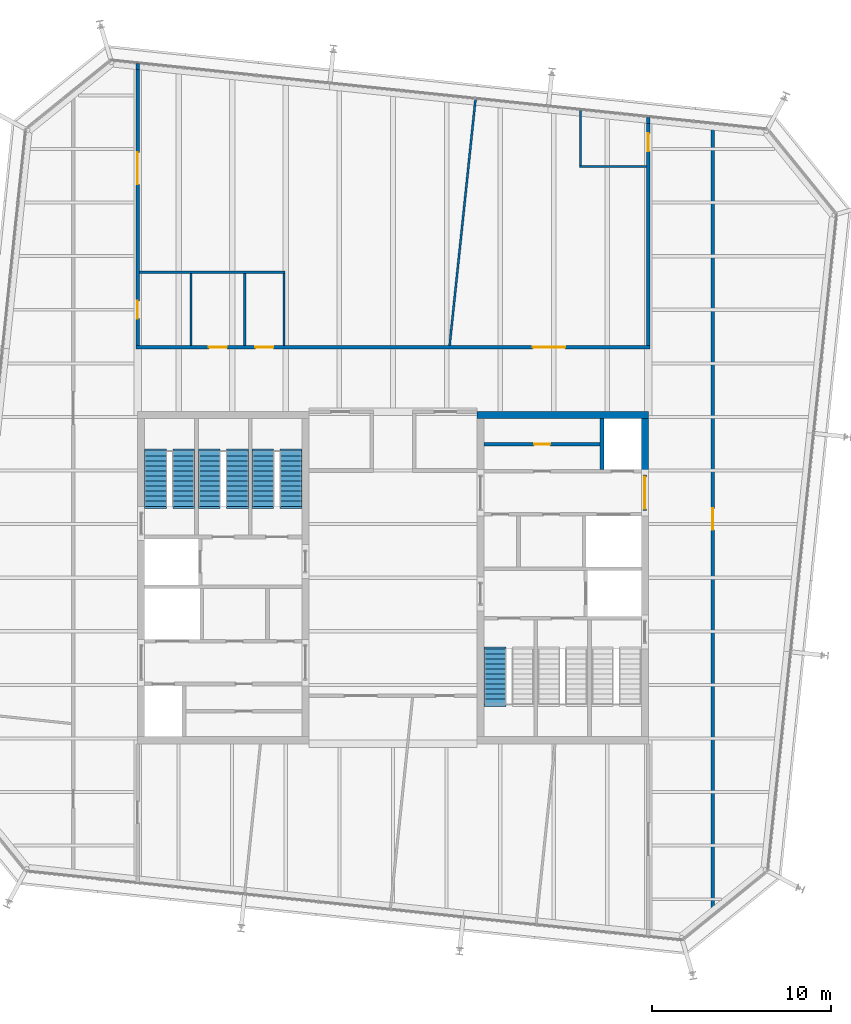
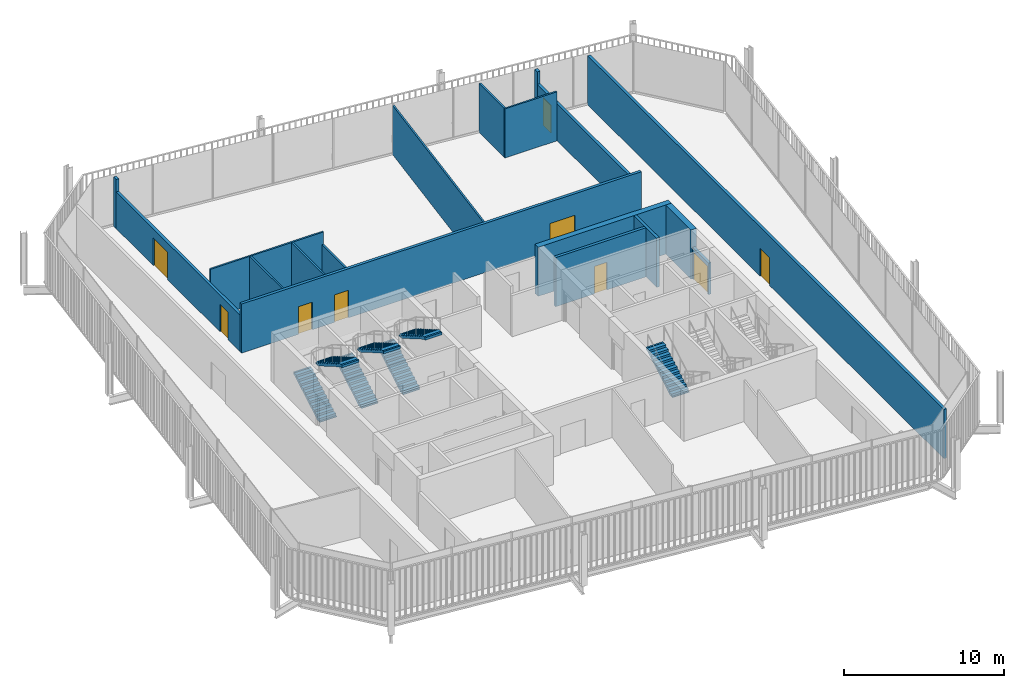
# One storey, part 18 of 20: 18 walls, 9 doors, 7 stair flights, 9 openings, 4 elements without a shape of their own.
"""IFC4 building model written with IfcOpenShell, lengths in metres."""

from ifc_helpers import new_model, si_unit, direction, frame, frame_2d, origin, place, context, subcontext, project, spatial, polyline, rectangle, outline, extrude, material, layer, layer_set, type_object, element, fill, aggregate, save


model = new_model("IFC4")

# Units and contexts
model_context = context("Model", 3, precision=1e-05, world=origin(), true_north=direction((0.0, 1.0)))
body_context = subcontext(model_context, "Body", "Model", "MODEL_VIEW")
ifc_project = project(units=[si_unit("LENGTHUNIT", "METRE"), si_unit("AREAUNIT", "SQUARE_METRE"), si_unit("VOLUMEUNIT", "CUBIC_METRE"), si_unit("PLANEANGLEUNIT", "RADIAN"), si_unit("MASSUNIT", "GRAM", prefix="KILO")], contexts=[model_context])

# Site, building, storey
site_placement = place(None, origin())
site = spatial("IfcSite", under=ifc_project, at=site_placement, CompositionType="ELEMENT")
building_placement = place(site_placement, origin())
building = spatial("IfcBuilding", under=site, at=building_placement, Name="Millrace Tower", CompositionType="ELEMENT")
storey_placement = place(building_placement, frame((0.0, 0.0, 295.5)))
storey = spatial("IfcBuildingStorey", under=building, at=storey_placement, Name="L68", CompositionType="ELEMENT", Elevation=295.5)

# Walls
ifc_material_1 = material(Name="Concrete C60", Category="concrete")
ifc_layer_1 = layer(ifc_material_1, 0.39990234375)
ifc_layer_set_1 = layer_set([ifc_layer_1], Name="Concrete C60")
wall_type_1 = type_object("IfcWallType", Name="Core wall 400 Concrete C60", PredefinedType="SHEAR", material=ifc_layer_set_1)
wall_1_placement = place(storey_placement, frame((14.300048828125, 9.10009765625, 0.0), z_axis=(0.0, 0.0, 1.0), x_axis=(-1.0, 0.0, 0.0)))
element("IfcWall", 1, at=wall_1_placement, inside=storey, type_object=wall_type_1, Name="Core wall E L68", PredefinedType="SHEAR", context=body_context, shape_type="SweptSolid", body=[
    extrude(rectangle(XDim=9.60009765625, YDim=0.39990234375, at=frame_2d((4.800048828125, 0.0))), origin(), (0.0, 0.0, 1.0), 3.739990234375),
])
wall_2_placement = place(storey_placement, frame((14.10009765625, 8.89990234375, 0.0), z_axis=(0.0, 0.0, 1.0), x_axis=(0.0, -1.0, 0.0)))
element("IfcWall", 2, at=wall_2_placement, inside=storey, type_object=wall_type_1, Name="Core wall E L68", PredefinedType="SHEAR", context=body_context, shape_type="SweptSolid", body=[
    extrude(rectangle(XDim=3.14990234375, YDim=0.39990234375, at=frame_2d((1.574951171875, 0.0))), origin(), (0.0, 0.0, 1.0), 3.739990234375),
])

# Wall, openings, doors
ifc_material_2 = material(Name="Masonry partition, fire-rated", Category="masonry")
ifc_layer_2 = layer(ifc_material_2, 0.199951171875)
ifc_layer_set_2 = layer_set([ifc_layer_2], Name="Masonry partition, fire-rated")
wall_type_2 = type_object("IfcWallType", Name="Corridor wall 200", PredefinedType="PARTITIONING", material=ifc_layer_set_2)
wall_3_placement = place(storey_placement, frame((-14.39990234375, 12.89990234375, 0.0), z_axis=(0.0, 0.0, 1.0), x_axis=(1.0, 0.0, 0.0)))
wall_3 = element("IfcWall", 3, at=wall_3_placement, inside=storey, type_object=wall_type_2, Name="Corridor wall L68", PredefinedType="PARTITIONING", context=body_context, shape_type="SweptSolid", body=[
    extrude(rectangle(XDim=28.7998046875, YDim=0.199951171875, at=frame_2d((14.39990234375, 0.0))), origin(), (0.0, 0.0, 1.0), 3.739990234375),
])
opening_1_placement = place(wall_3_placement, frame((22.22998046875, 0.0, 0.0)))
opening_1 = element("IfcOpeningElement", 4, at=opening_1_placement, cuts=wall_3, Name="Opening 68-P006", PredefinedType="OPENING", context=body_context, shape_type="SweptSolid", body=[
    extrude(rectangle(XDim=1.800048828125, YDim=2.10009765625, at=frame_2d((0.89990234375, 1.050048828125))), frame((0.0, 0.10986328125, 0.0), z_axis=(0.0, -1.0, 0.0), x_axis=(1.0, 0.0, 0.0)), (0.0, 0.0, 1.0), 0.219970703125),
])
opening_2_placement = place(wall_3_placement, frame((4.10009765625, 0.0, 0.0)))
opening_2 = element("IfcOpeningElement", 5, at=opening_2_placement, cuts=wall_3, Name="Opening 68-P014", PredefinedType="OPENING", context=body_context, shape_type="SweptSolid", body=[
    extrude(rectangle(XDim=1.0, YDim=2.10009765625, at=frame_2d((0.5, 1.050048828125))), frame((0.0, 0.10986328125, 0.0), z_axis=(0.0, -1.0, 0.0), x_axis=(1.0, 0.0, 0.0)), (0.0, 0.0, 1.0), 0.219970703125),
])
opening_3_placement = place(wall_3_placement, frame((6.699951171875, 0.0, 0.0)))
opening_3 = element("IfcOpeningElement", 6, at=opening_3_placement, cuts=wall_3, Name="Opening 68-P015", PredefinedType="OPENING", context=body_context, shape_type="SweptSolid", body=[
    extrude(rectangle(XDim=1.0, YDim=2.10009765625, at=frame_2d((0.5, 1.050048828125))), frame((0.0, 0.10986328125, 0.0), z_axis=(0.0, -1.0, 0.0), x_axis=(1.0, 0.0, 0.0)), (0.0, 0.0, 1.0), 0.219970703125),
])
ifc_material_3 = material(Name="Steel door set, fire-rated", Category="steel")
door_type_1 = type_object("IfcDoorType", Name="Corridor door 1000 x 2100", OperationType="SINGLE_SWING_LEFT", PredefinedType="DOOR", material=ifc_material_3)
door_1_placement = place(opening_2_placement, origin())
door_1 = element("IfcDoor", 7, at=door_1_placement, inside=storey, type_object=door_type_1, Name="Door 68-P014", OperationType="SINGLE_SWING_LEFT", OverallHeight=2.10009765625, OverallWidth=1.0, PredefinedType="DOOR", context=body_context, shape_type="SweptSolid", body=[
    extrude(rectangle(XDim=1.0, YDim=2.10009765625, at=frame_2d((0.5, 1.050048828125))), frame((0.0, 0.02490234375, 0.0), z_axis=(0.0, -1.0, 0.0), x_axis=(1.0, 0.0, 0.0)), (0.0, 0.0, 1.0), 0.050048828125),
])
fill(opening_2, door_1)
door_2_placement = place(opening_3_placement, origin())
door_2 = element("IfcDoor", 8, at=door_2_placement, inside=storey, type_object=door_type_1, Name="Door 68-P015", OperationType="SINGLE_SWING_LEFT", OverallHeight=2.10009765625, OverallWidth=1.0, PredefinedType="DOOR", context=body_context, shape_type="SweptSolid", body=[
    extrude(rectangle(XDim=1.0, YDim=2.10009765625, at=frame_2d((0.5, 1.050048828125))), frame((0.0, 0.02490234375, 0.0), z_axis=(0.0, -1.0, 0.0), x_axis=(1.0, 0.0, 0.0)), (0.0, 0.0, 1.0), 0.050048828125),
])
fill(opening_3, door_2)
ifc_material_4 = material(Name="Steel door set, fire-rated", Category="steel")
door_type_2 = type_object("IfcDoorType", Name="Corridor door 1800 x 2100", OperationType="DOUBLE_DOOR_SINGLE_SWING", PredefinedType="DOOR", material=ifc_material_4)
door_3_placement = place(opening_1_placement, origin())
door_3 = element("IfcDoor", 9, at=door_3_placement, inside=storey, type_object=door_type_2, Name="Door 68-P006", OperationType="DOUBLE_DOOR_SINGLE_SWING", OverallHeight=2.10009765625, OverallWidth=1.800048828125, PredefinedType="DOOR", context=body_context, shape_type="SweptSolid", body=[
    extrude(rectangle(XDim=1.800048828125, YDim=2.10009765625, at=frame_2d((0.89990234375, 1.050048828125))), frame((0.0, 0.02490234375, 0.0), z_axis=(0.0, -1.0, 0.0), x_axis=(1.0, 0.0, 0.0)), (0.0, 0.0, 1.0), 0.050048828125),
])
fill(opening_1, door_3)

# Wall, opening, door
wall_4_placement = place(storey_placement, frame((17.89990234375, -19.042236328125, 0.0), z_axis=(0.0, 0.0, 1.0), x_axis=(0.0, 1.0, 0.0)))
wall_4 = element("IfcWall", 10, at=wall_4_placement, inside=storey, type_object=wall_type_2, Name="Corridor wall L68", PredefinedType="PARTITIONING", context=body_context, shape_type="SweptSolid", body=[
    extrude(rectangle(XDim=44.437255859375, YDim=0.199951171875, at=frame_2d((22.21875, 0.0))), origin(), (0.0, 0.0, 1.0), 3.739990234375),
])
opening_4_placement = place(wall_4_placement, frame((21.725830078125, 0.0, 0.0)))
opening_4 = element("IfcOpeningElement", 11, at=opening_4_placement, cuts=wall_4, Name="Opening 68-P008", PredefinedType="OPENING", context=body_context, shape_type="SweptSolid", body=[
    extrude(rectangle(XDim=1.199951171875, YDim=2.10009765625, at=frame_2d((0.60009765625, 1.050048828125))), frame((0.0, 0.10986328125, 0.0), z_axis=(0.0, -1.0, 0.0), x_axis=(1.0, 0.0, 0.0)), (0.0, 0.0, 1.0), 0.219970703125),
])
ifc_material_5 = material(Name="Steel door set, fire-rated", Category="steel")
door_type_3 = type_object("IfcDoorType", Name="Corridor door 1200 x 2100", OperationType="SINGLE_SWING_LEFT", PredefinedType="DOOR", material=ifc_material_5)
door_4_placement = place(opening_4_placement, origin())
door_4 = element("IfcDoor", 12, at=door_4_placement, inside=storey, type_object=door_type_3, Name="Door 68-P008", OperationType="SINGLE_SWING_RIGHT", OverallHeight=2.10009765625, OverallWidth=1.199951171875, PredefinedType="DOOR", context=body_context, shape_type="SweptSolid", body=[
    extrude(rectangle(XDim=1.199951171875, YDim=2.10009765625, at=frame_2d((0.60009765625, 1.050048828125))), frame((0.0, 0.02490234375, 0.0), z_axis=(0.0, -1.0, 0.0), x_axis=(1.0, 0.0, 0.0)), (0.0, 0.0, 1.0), 0.050048828125),
])
fill(opening_4, door_4)

wall_5_placement = place(storey_placement, frame((14.300048828125, 13.0, 0.0), z_axis=(0.0, 0.0, 1.0), x_axis=(0.0, 1.0, 0.0)))
wall_5 = element("IfcWall", 13, at=wall_5_placement, inside=storey, type_object=wall_type_2, Name="Corridor wall L68", PredefinedType="PARTITIONING", context=body_context, shape_type="SweptSolid", body=[
    extrude(rectangle(XDim=12.434326171875, YDim=0.199951171875, at=frame_2d((6.21728515625, 0.0))), origin(), (0.0, 0.0, 1.0), 2.79248046875),
])
opening_5_placement = place(wall_5_placement, frame((10.873046875, 0.0, 0.0)))
opening_5 = element("IfcOpeningElement", 14, at=opening_5_placement, cuts=wall_5, Name="Opening 68-P007", PredefinedType="OPENING", context=body_context, shape_type="SweptSolid", body=[
    extrude(rectangle(XDim=1.0, YDim=2.10009765625, at=frame_2d((0.5, 1.050048828125))), frame((0.0, 0.10986328125, 0.0), z_axis=(0.0, -1.0, 0.0), x_axis=(1.0, 0.0, 0.0)), (0.0, 0.0, 1.0), 0.219970703125),
])
door_5_placement = place(opening_5_placement, origin())
door_5 = element("IfcDoor", 15, at=door_5_placement, inside=storey, type_object=door_type_1, Name="Door 68-P007", OperationType="SINGLE_SWING_RIGHT", OverallHeight=2.10009765625, OverallWidth=1.0, PredefinedType="DOOR", context=body_context, shape_type="SweptSolid", body=[
    extrude(rectangle(XDim=1.0, YDim=2.10009765625, at=frame_2d((0.5, 1.050048828125))), frame((0.0, 0.02490234375, 0.0), z_axis=(0.0, -1.0, 0.0), x_axis=(1.0, 0.0, 0.0)), (0.0, 0.0, 1.0), 0.050048828125),
])
fill(opening_5, door_5)

# Wall
wall_6_placement = place(storey_placement, frame((14.300048828125, 25.434326171875, 0.0), z_axis=(0.0, 0.0, 1.0), x_axis=(0.0, 1.0, 0.0)))
element("IfcWall", 16, at=wall_6_placement, inside=storey, type_object=wall_type_2, Name="Corridor wall L68", PredefinedType="PARTITIONING", context=body_context, shape_type="SweptSolid", body=[
    extrude(rectangle(XDim=0.339111328125, YDim=0.199951171875, at=frame_2d((0.16943359375, 0.0))), origin(), (0.0, 0.0, 1.0), 3.739990234375),
])

# Wall, openings, doors
wall_7_placement = place(storey_placement, frame((-14.300048828125, 13.0, 0.0), z_axis=(0.0, 0.0, 1.0), x_axis=(0.0, 1.0, 0.0)))
wall_7 = element("IfcWall", 17, at=wall_7_placement, inside=storey, type_object=wall_type_2, Name="Corridor wall L68", PredefinedType="PARTITIONING", context=body_context, shape_type="SweptSolid", body=[
    extrude(rectangle(XDim=15.440185546875, YDim=0.199951171875, at=frame_2d((7.72021484375, 0.0))), origin(), (0.0, 0.0, 1.0), 2.79248046875),
])
opening_6_placement = place(wall_7_placement, frame((9.014404296875, 0.0, 0.0)))
opening_6 = element("IfcOpeningElement", 18, at=opening_6_placement, cuts=wall_7, Name="Opening 68-P005", PredefinedType="OPENING", context=body_context, shape_type="SweptSolid", body=[
    extrude(rectangle(XDim=1.800048828125, YDim=2.10009765625, at=frame_2d((0.89990234375, 1.050048828125))), frame((0.0, 0.10986328125, 0.0), z_axis=(0.0, -1.0, 0.0), x_axis=(1.0, 0.0, 0.0)), (0.0, 0.0, 1.0), 0.219970703125),
])
opening_7_placement = place(wall_7_placement, frame((1.5, 0.0, 0.0)))
opening_7 = element("IfcOpeningElement", 19, at=opening_7_placement, cuts=wall_7, Name="Opening 68-P013", PredefinedType="OPENING", context=body_context, shape_type="SweptSolid", body=[
    extrude(rectangle(XDim=1.0, YDim=2.10009765625, at=frame_2d((0.5, 1.050048828125))), frame((0.0, 0.10986328125, 0.0), z_axis=(0.0, -1.0, 0.0), x_axis=(1.0, 0.0, 0.0)), (0.0, 0.0, 1.0), 0.219970703125),
])
door_6_placement = place(opening_7_placement, frame((1.0, 0.0, 0.0), z_axis=(0.0, 0.0, 1.0), x_axis=(-1.0, 0.0, 0.0)))
door_6 = element("IfcDoor", 20, at=door_6_placement, inside=storey, type_object=door_type_1, Name="Door 68-P013", OperationType="SINGLE_SWING_RIGHT", OverallHeight=2.10009765625, OverallWidth=1.0, PredefinedType="DOOR", context=body_context, shape_type="SweptSolid", body=[
    extrude(rectangle(XDim=1.0, YDim=2.10009765625, at=frame_2d((0.5, 1.050048828125))), frame((0.0, 0.02490234375, 0.0), z_axis=(0.0, -1.0, 0.0), x_axis=(1.0, 0.0, 0.0)), (0.0, 0.0, 1.0), 0.050048828125),
])
fill(opening_7, door_6)
door_7_placement = place(opening_6_placement, origin())
door_7 = element("IfcDoor", 21, at=door_7_placement, inside=storey, type_object=door_type_2, Name="Door 68-P005", OperationType="DOUBLE_DOOR_SINGLE_SWING", OverallHeight=2.10009765625, OverallWidth=1.800048828125, PredefinedType="DOOR", context=body_context, shape_type="SweptSolid", body=[
    extrude(rectangle(XDim=1.800048828125, YDim=2.10009765625, at=frame_2d((0.89990234375, 1.050048828125))), frame((0.0, 0.02490234375, 0.0), z_axis=(0.0, -1.0, 0.0), x_axis=(1.0, 0.0, 0.0)), (0.0, 0.0, 1.0), 0.050048828125),
])
fill(opening_6, door_7)

# Walls
wall_8_placement = place(storey_placement, frame((-14.300048828125, 28.440185546875, 0.0), z_axis=(0.0, 0.0, 1.0), x_axis=(0.0, 1.0, 0.0)))
element("IfcWall", 22, at=wall_8_placement, inside=storey, type_object=wall_type_2, Name="Corridor wall L68", PredefinedType="PARTITIONING", context=body_context, shape_type="SweptSolid", body=[
    extrude(rectangle(XDim=0.33935546875, YDim=0.199951171875, at=frame_2d((0.169677734375, 0.0))), origin(), (0.0, 0.0, 1.0), 3.739990234375),
])
ifc_material_6 = material(Name="Masonry partition, fire-rated", Category="masonry")
ifc_layer_3 = layer(ifc_material_6, 0.199951171875)
ifc_layer_set_3 = layer_set([ifc_layer_3], Name="Masonry partition, fire-rated")
wall_type_3 = type_object("IfcWallType", Name="Lift shaft wall 200", PredefinedType="PARTITIONING", material=ifc_layer_set_3)
wall_9_placement = place(storey_placement, frame((11.699951171875, 8.89990234375, 0.0), z_axis=(0.0, 0.0, 1.0), x_axis=(0.0, -1.0, 0.0)))
element("IfcWall", 23, at=wall_9_placement, inside=storey, type_object=wall_type_3, Name="Lift shaft wall E L68", PredefinedType="PARTITIONING", context=body_context, shape_type="SweptSolid", body=[
    extrude(rectangle(XDim=2.849853515625, YDim=0.199951171875, at=frame_2d((1.4248046875, 0.0))), origin(), (0.0, 0.0, 1.0), 3.739990234375),
])

# Wall, opening, door
ifc_material_7 = material(Name="Masonry partition, fire-rated", Category="masonry")
ifc_layer_4 = layer(ifc_material_7, 0.199951171875)
ifc_layer_set_4 = layer_set([ifc_layer_4], Name="Masonry partition, fire-rated")
wall_type_4 = type_object("IfcWallType", Name="Lobby wall 200", PredefinedType="PARTITIONING", material=ifc_layer_set_4)
wall_10_placement = place(storey_placement, frame((14.10009765625, 5.75, 0.0), z_axis=(0.0, 0.0, 1.0), x_axis=(0.0, -1.0, 0.0)))
wall_10 = element("IfcWall", 24, at=wall_10_placement, inside=storey, type_object=wall_type_4, Name="Lobby wall E L68", PredefinedType="PARTITIONING", context=body_context, shape_type="SweptSolid", body=[
    extrude(rectangle(XDim=2.0, YDim=0.199951171875, at=frame_2d((1.0, 0.0))), origin(), (0.0, 0.0, 1.0), 2.39990234375),
])
opening_8_placement = place(wall_10_placement, frame((0.10009765625, 0.0, 0.0)))
opening_8 = element("IfcOpeningElement", 25, at=opening_8_placement, cuts=wall_10, Name="Opening 68-C011", PredefinedType="OPENING", context=body_context, shape_type="SweptSolid", body=[
    extrude(rectangle(XDim=1.800048828125, YDim=2.10009765625, at=frame_2d((0.89990234375, 1.050048828125))), frame((0.0, 0.10986328125, 0.0), z_axis=(0.0, -1.0, 0.0), x_axis=(1.0, 0.0, 0.0)), (0.0, 0.0, 1.0), 0.219970703125),
])
ifc_material_8 = material(Name="Steel door, fire-rated", Category="steel")
door_type_4 = type_object("IfcDoorType", Name="Lobby door 1800 x 2100", OperationType="DOUBLE_DOOR_SINGLE_SWING", PredefinedType="DOOR", material=ifc_material_8)
door_8_placement = place(opening_8_placement, origin())
door_8 = element("IfcDoor", 26, at=door_8_placement, inside=storey, type_object=door_type_4, Name="Lobby door 68-C011", OperationType="DOUBLE_DOOR_SINGLE_SWING", OverallHeight=2.10009765625, OverallWidth=1.800048828125, PredefinedType="DOOR", context=body_context, shape_type="SweptSolid", body=[
    extrude(rectangle(XDim=1.800048828125, YDim=2.10009765625, at=frame_2d((0.89990234375, 1.050048828125))), frame((0.0, 0.02490234375, 0.0), z_axis=(0.0, -1.0, 0.0), x_axis=(1.0, 0.0, 0.0)), (0.0, 0.0, 1.0), 0.050048828125),
])
fill(opening_8, door_8)

# Walls
ifc_material_9 = material(Name="Gypsum board partition")
ifc_layer_5 = layer(ifc_material_9, 0.1201171875)
ifc_layer_set_5 = layer_set([ifc_layer_5], Name="Gypsum board partition")
wall_type_5 = type_object("IfcWallType", Name="Partition wall 120", PredefinedType="PARTITIONING", material=ifc_layer_set_5)
wall_11_placement = place(storey_placement, frame((-14.199951171875, 17.10009765625, 0.0), z_axis=(0.0, 0.0, 1.0), x_axis=(1.0, 0.0, 0.0)))
element("IfcWall", 27, at=wall_11_placement, inside=storey, type_object=wall_type_5, Name="Partition wall L68", PredefinedType="PARTITIONING", context=body_context, shape_type="SweptSolid", body=[
    extrude(rectangle(XDim=8.159912109375, YDim=0.1201171875, at=frame_2d((4.080078125, 0.0))), origin(), (0.0, 0.0, 1.0), 3.739990234375),
])
wall_12_placement = place(storey_placement, frame((10.43994140625, 23.02294921875, 0.0), z_axis=(0.0, 0.0, 1.0), x_axis=(1.0, 0.0, 0.0)))
element("IfcWall", 28, at=wall_12_placement, inside=storey, type_object=wall_type_5, Name="Partition wall L68", PredefinedType="PARTITIONING", context=body_context, shape_type="SweptSolid", body=[
    extrude(rectangle(XDim=3.760009765625, YDim=0.1201171875, at=frame_2d((1.8798828125, 0.0))), origin(), (0.0, 0.0, 1.0), 3.739990234375),
])
wall_13_placement = place(storey_placement, frame((3.17041015625, 12.99951171875, 0.0), z_axis=(0.0, 0.0, 1.0), x_axis=(0.104559229742, 0.9945186612, 0.0)))
element("IfcWall", 29, at=wall_13_placement, inside=storey, type_object=wall_type_5, Name="Partition wall L68", PredefinedType="PARTITIONING", context=body_context, shape_type="SweptSolid", body=[
    extrude(rectangle(XDim=13.8671875, YDim=0.1201171875, at=frame_2d((6.93359375, 0.0))), origin(), (0.0, 0.0, 1.0), 3.739990234375),
])
wall_14_placement = place(storey_placement, frame((10.5, 23.0830078125, 0.0), z_axis=(0.0, 0.0, 1.0), x_axis=(0.0, 1.0, 0.0)))
element("IfcWall", 30, at=wall_14_placement, inside=storey, type_object=wall_type_5, Name="Partition wall L68", PredefinedType="PARTITIONING", context=body_context, shape_type="SweptSolid", body=[
    extrude(rectangle(XDim=3.08984375, YDim=0.1201171875, at=frame_2d((1.544921875, 0.0))), origin(), (0.0, 0.0, 1.0), 3.739990234375),
])
wall_15_placement = place(storey_placement, frame((-6.10009765625, 13.0, 0.0), z_axis=(0.0, 0.0, 1.0), x_axis=(0.0, 1.0, 0.0)))
element("IfcWall", 31, at=wall_15_placement, inside=storey, type_object=wall_type_5, Name="Partition wall L68", PredefinedType="PARTITIONING", context=body_context, shape_type="SweptSolid", body=[
    extrude(rectangle(XDim=4.0400390625, YDim=0.1201171875, at=frame_2d((2.02001953125, 0.0))), origin(), (0.0, 0.0, 1.0), 2.81298828125),
])
for number, where, z_axis, x_axis, name in (
    (32, (-8.300048828125, 13.0, 0.0), (0.0, 0.0, 1.0), (0.0, 1.0, 0.0), "Partition wall L68"),
    (33, (-11.300048828125, 13.0, 0.0), (0.0, 0.0, 1.0), (0.0, 1.0, 0.0), "Partition wall L68"),
):
    element("IfcWall", number, at=place(storey_placement, frame(where, z_axis=z_axis, x_axis=x_axis)), inside=storey, type_object=wall_type_5, Name=name, PredefinedType="PARTITIONING", context=body_context, shape_type="SweptSolid", body=[
        extrude(rectangle(XDim=4.0400390625, YDim=0.1201171875, at=frame_2d((2.02001953125, 0.0))), origin(), (0.0, 0.0, 1.0), 3.739990234375),
    ])

# Wall, opening, door
ifc_material_10 = material(Name="Masonry partition, fire-rated", Category="masonry")
ifc_layer_6 = layer(ifc_material_10, 0.199951171875)
ifc_layer_set_6 = layer_set([ifc_layer_6], Name="Masonry partition, fire-rated")
wall_type_6 = type_object("IfcWallType", Name="Room partition 200", PredefinedType="PARTITIONING", material=ifc_layer_set_6)
wall_16_placement = place(storey_placement, frame((11.60009765625, 7.47509765625, 0.0), z_axis=(0.0, 0.0, 1.0), x_axis=(-1.0, 0.0, 0.0)))
wall_16 = element("IfcWall", 34, at=wall_16_placement, inside=storey, type_object=wall_type_6, Name="Room partition E L68", PredefinedType="PARTITIONING", context=body_context, shape_type="SweptSolid", body=[
    extrude(rectangle(XDim=6.5, YDim=0.199951171875, at=frame_2d((3.25, 0.0))), origin(), (0.0, 0.0, 1.0), 3.739990234375),
])
opening_9_placement = place(wall_16_placement, frame((2.800048828125, 0.0, 0.0)))
opening_9 = element("IfcOpeningElement", 35, at=opening_9_placement, cuts=wall_16, Name="Opening 68-C016", PredefinedType="OPENING", context=body_context, shape_type="SweptSolid", body=[
    extrude(rectangle(XDim=0.89990234375, YDim=2.10009765625, at=frame_2d((0.449951171875, 1.050048828125))), frame((0.0, 0.10986328125, 0.0), z_axis=(0.0, -1.0, 0.0), x_axis=(1.0, 0.0, 0.0)), (0.0, 0.0, 1.0), 0.219970703125),
])
ifc_material_11 = material(Name="Steel door, fire-rated", Category="steel")
door_type_5 = type_object("IfcDoorType", Name="Service room door 900 x 2100", OperationType="SINGLE_SWING_LEFT", PredefinedType="DOOR", material=ifc_material_11)
door_9_placement = place(opening_9_placement, frame((0.89990234375, 0.0, 0.0), z_axis=(0.0, 0.0, 1.0), x_axis=(-1.0, 0.0, 0.0)))
door_9 = element("IfcDoor", 36, at=door_9_placement, inside=storey, type_object=door_type_5, Name="Service room door 68-C016", OperationType="SINGLE_SWING_RIGHT", OverallHeight=2.10009765625, OverallWidth=0.89990234375, PredefinedType="DOOR", context=body_context, shape_type="SweptSolid", body=[
    extrude(rectangle(XDim=0.89990234375, YDim=2.10009765625, at=frame_2d((0.449951171875, 1.050048828125))), frame((0.0, 0.02490234375, 0.0), z_axis=(0.0, -1.0, 0.0), x_axis=(1.0, 0.0, 0.0)), (0.0, 0.0, 1.0), 0.050048828125),
])
fill(opening_9, door_9)

# Stair, stair flights
ifc_material_12 = material(Name="Concrete C35", Category="concrete")
stair_type = type_object("IfcStairType", Name="Exit stair", PredefinedType="HALF_TURN_STAIR", material=ifc_material_12)
placement = place(storey_placement, origin())
stair_1 = element("IfcStair", 37, at=placement, inside=storey, type_object=stair_type, Name="Stair 1 W L68", PredefinedType="HALF_TURN_STAIR")
ifc_material_13 = material(Name="Concrete C35", Category="concrete")
stair_flight_type = type_object("IfcStairFlightType", Name="Exit stair flight", PredefinedType="STRAIGHT", material=ifc_material_13)
stair_flight_1_placement = place(storey_placement, frame((-13.2900390625, 4.0, 0.0), z_axis=(0.0, 0.0, 1.0), x_axis=(0.0, 1.0, 0.0)))
stair_flight_1 = element("IfcStairFlight", 38, at=stair_flight_1_placement, type_object=stair_flight_type, Name="ST12 flight 1", NumberOfRisers=12, NumberOfTreads=11, PredefinedType="STRAIGHT", RiserHeight=0.1625, TreadLength=0.28, context=body_context, shape_type="SweptSolid", body=[
    extrude(outline(polyline([(-0.1201171875, -0.0400390625), (-0.1201171875, 0.0), (0.0, 0.0), (0.0, 0.16259765625), (0.280029296875, 0.16259765625), (0.280029296875, 0.324951171875), (0.56005859375, 0.324951171875), (0.56005859375, 0.487548828125), (0.840087890625, 0.487548828125), (0.840087890625, 0.64990234375), (1.1201171875, 0.64990234375), (1.1201171875, 0.8125), (1.39990234375, 0.8125), (1.39990234375, 0.97509765625), (1.679931640625, 0.97509765625), (1.679931640625, 1.137451171875), (1.9599609375, 1.137451171875), (1.9599609375, 1.300048828125), (2.239990234375, 1.300048828125), (2.239990234375, 1.46240234375), (2.52001953125, 1.46240234375), (2.52001953125, 1.625), (2.800048828125, 1.625), (2.800048828125, 1.78759765625), (3.080078125, 1.78759765625), (3.080078125, 1.8076171875), (3.199951171875, 1.8076171875), (3.199951171875, 1.6142578125), (3.080078125, 1.6142578125), (0.298583984375, 0.0), (0.298583984375, -0.0400390625), (-0.1201171875, -0.0400390625)])), frame((0.0, 0.60986328125, 0.0), z_axis=(0.0, -1.0, 0.0), x_axis=(1.0, 0.0, 0.0)), (0.0, 0.0, 1.0), 1.219970703125),
])
stair_flight_2_placement = place(storey_placement, frame((-11.7099609375, 7.080078125, 1.949951171875), z_axis=(0.0, 0.0, 1.0), x_axis=(0.0, -1.0, 0.0)))
stair_flight_2 = element("IfcStairFlight", 39, at=stair_flight_2_placement, type_object=stair_flight_type, Name="ST12 flight 2", NumberOfRisers=12, NumberOfTreads=11, PredefinedType="STRAIGHT", RiserHeight=0.1625, TreadLength=0.28, context=body_context, shape_type="SweptSolid", body=[
    extrude(outline(polyline([(-0.1201171875, -0.0400390625), (-0.1201171875, 0.0), (0.0, 0.0), (0.0, 0.16259765625), (0.280029296875, 0.16259765625), (0.280029296875, 0.324951171875), (0.56005859375, 0.324951171875), (0.56005859375, 0.487548828125), (0.840087890625, 0.487548828125), (0.840087890625, 0.64990234375), (1.1201171875, 0.64990234375), (1.1201171875, 0.8125), (1.39990234375, 0.8125), (1.39990234375, 0.97509765625), (1.679931640625, 0.97509765625), (1.679931640625, 1.137451171875), (1.9599609375, 1.137451171875), (1.9599609375, 1.300048828125), (2.239990234375, 1.300048828125), (2.239990234375, 1.46240234375), (2.52001953125, 1.46240234375), (2.52001953125, 1.625), (2.800048828125, 1.625), (2.800048828125, 1.78759765625), (3.080078125, 1.78759765625), (3.080078125, 1.8076171875), (3.199951171875, 1.8076171875), (3.199951171875, 1.6142578125), (3.080078125, 1.6142578125), (0.298583984375, 0.0), (0.298583984375, -0.0400390625), (-0.1201171875, -0.0400390625)])), frame((0.0, 0.60986328125, 0.0), z_axis=(0.0, -1.0, 0.0), x_axis=(1.0, 0.0, 0.0)), (0.0, 0.0, 1.0), 1.219970703125),
])
aggregate(stair_1, [stair_flight_1, stair_flight_2])

stair_2 = element("IfcStair", 40, at=placement, inside=storey, type_object=stair_type, Name="Stair 2 W L68", PredefinedType="HALF_TURN_STAIR")
stair_flight_3_placement = place(storey_placement, frame((-10.2900390625, 4.0, 0.0), z_axis=(0.0, 0.0, 1.0), x_axis=(0.0, 1.0, 0.0)))
stair_flight_3 = element("IfcStairFlight", 41, at=stair_flight_3_placement, type_object=stair_flight_type, Name="ST12 flight 1", NumberOfRisers=12, NumberOfTreads=11, PredefinedType="STRAIGHT", RiserHeight=0.1625, TreadLength=0.28, context=body_context, shape_type="SweptSolid", body=[
    extrude(outline(polyline([(-0.1201171875, -0.0400390625), (-0.1201171875, 0.0), (0.0, 0.0), (0.0, 0.16259765625), (0.280029296875, 0.16259765625), (0.280029296875, 0.324951171875), (0.56005859375, 0.324951171875), (0.56005859375, 0.487548828125), (0.840087890625, 0.487548828125), (0.840087890625, 0.64990234375), (1.1201171875, 0.64990234375), (1.1201171875, 0.8125), (1.39990234375, 0.8125), (1.39990234375, 0.97509765625), (1.679931640625, 0.97509765625), (1.679931640625, 1.137451171875), (1.9599609375, 1.137451171875), (1.9599609375, 1.300048828125), (2.239990234375, 1.300048828125), (2.239990234375, 1.46240234375), (2.52001953125, 1.46240234375), (2.52001953125, 1.625), (2.800048828125, 1.625), (2.800048828125, 1.78759765625), (3.080078125, 1.78759765625), (3.080078125, 1.8076171875), (3.199951171875, 1.8076171875), (3.199951171875, 1.6142578125), (3.080078125, 1.6142578125), (0.298583984375, 0.0), (0.298583984375, -0.0400390625), (-0.1201171875, -0.0400390625)])), frame((0.0, 0.60986328125, 0.0), z_axis=(0.0, -1.0, 0.0), x_axis=(1.0, 0.0, 0.0)), (0.0, 0.0, 1.0), 1.219970703125),
])
stair_flight_4_placement = place(storey_placement, frame((-8.7099609375, 7.080078125, 1.949951171875), z_axis=(0.0, 0.0, 1.0), x_axis=(0.0, -1.0, 0.0)))
stair_flight_4 = element("IfcStairFlight", 42, at=stair_flight_4_placement, type_object=stair_flight_type, Name="ST12 flight 2", NumberOfRisers=12, NumberOfTreads=11, PredefinedType="STRAIGHT", RiserHeight=0.1625, TreadLength=0.28, context=body_context, shape_type="SweptSolid", body=[
    extrude(outline(polyline([(-0.1201171875, -0.0400390625), (-0.1201171875, 0.0), (0.0, 0.0), (0.0, 0.16259765625), (0.280029296875, 0.16259765625), (0.280029296875, 0.324951171875), (0.56005859375, 0.324951171875), (0.56005859375, 0.487548828125), (0.840087890625, 0.487548828125), (0.840087890625, 0.64990234375), (1.1201171875, 0.64990234375), (1.1201171875, 0.8125), (1.39990234375, 0.8125), (1.39990234375, 0.97509765625), (1.679931640625, 0.97509765625), (1.679931640625, 1.137451171875), (1.9599609375, 1.137451171875), (1.9599609375, 1.300048828125), (2.239990234375, 1.300048828125), (2.239990234375, 1.46240234375), (2.52001953125, 1.46240234375), (2.52001953125, 1.625), (2.800048828125, 1.625), (2.800048828125, 1.78759765625), (3.080078125, 1.78759765625), (3.080078125, 1.8076171875), (3.199951171875, 1.8076171875), (3.199951171875, 1.6142578125), (3.080078125, 1.6142578125), (0.298583984375, 0.0), (0.298583984375, -0.0400390625), (-0.1201171875, -0.0400390625)])), frame((0.0, 0.60986328125, 0.0), z_axis=(0.0, -1.0, 0.0), x_axis=(1.0, 0.0, 0.0)), (0.0, 0.0, 1.0), 1.219970703125),
])
aggregate(stair_2, [stair_flight_3, stair_flight_4])

stair_3 = element("IfcStair", 43, at=placement, inside=storey, type_object=stair_type, Name="Stair 3 W L68", PredefinedType="HALF_TURN_STAIR")
stair_flight_5_placement = place(storey_placement, frame((-7.2900390625, 4.0, 0.0), z_axis=(0.0, 0.0, 1.0), x_axis=(0.0, 1.0, 0.0)))
stair_flight_5 = element("IfcStairFlight", 44, at=stair_flight_5_placement, type_object=stair_flight_type, Name="ST12 flight 1", NumberOfRisers=12, NumberOfTreads=11, PredefinedType="STRAIGHT", RiserHeight=0.1625, TreadLength=0.28, context=body_context, shape_type="SweptSolid", body=[
    extrude(outline(polyline([(-0.1201171875, -0.0400390625), (-0.1201171875, 0.0), (0.0, 0.0), (0.0, 0.16259765625), (0.280029296875, 0.16259765625), (0.280029296875, 0.324951171875), (0.56005859375, 0.324951171875), (0.56005859375, 0.487548828125), (0.840087890625, 0.487548828125), (0.840087890625, 0.64990234375), (1.1201171875, 0.64990234375), (1.1201171875, 0.8125), (1.39990234375, 0.8125), (1.39990234375, 0.97509765625), (1.679931640625, 0.97509765625), (1.679931640625, 1.137451171875), (1.9599609375, 1.137451171875), (1.9599609375, 1.300048828125), (2.239990234375, 1.300048828125), (2.239990234375, 1.46240234375), (2.52001953125, 1.46240234375), (2.52001953125, 1.625), (2.800048828125, 1.625), (2.800048828125, 1.78759765625), (3.080078125, 1.78759765625), (3.080078125, 1.8076171875), (3.199951171875, 1.8076171875), (3.199951171875, 1.6142578125), (3.080078125, 1.6142578125), (0.298583984375, 0.0), (0.298583984375, -0.0400390625), (-0.1201171875, -0.0400390625)])), frame((0.0, 0.60986328125, 0.0), z_axis=(0.0, -1.0, 0.0), x_axis=(1.0, 0.0, 0.0)), (0.0, 0.0, 1.0), 1.219970703125),
])
stair_flight_6_placement = place(storey_placement, frame((-5.7099609375, 7.080078125, 1.949951171875), z_axis=(0.0, 0.0, 1.0), x_axis=(0.0, -1.0, 0.0)))
stair_flight_6 = element("IfcStairFlight", 45, at=stair_flight_6_placement, type_object=stair_flight_type, Name="ST12 flight 2", NumberOfRisers=12, NumberOfTreads=11, PredefinedType="STRAIGHT", RiserHeight=0.1625, TreadLength=0.28, context=body_context, shape_type="SweptSolid", body=[
    extrude(outline(polyline([(-0.1201171875, -0.0400390625), (-0.1201171875, 0.0), (0.0, 0.0), (0.0, 0.16259765625), (0.280029296875, 0.16259765625), (0.280029296875, 0.324951171875), (0.56005859375, 0.324951171875), (0.56005859375, 0.487548828125), (0.840087890625, 0.487548828125), (0.840087890625, 0.64990234375), (1.1201171875, 0.64990234375), (1.1201171875, 0.8125), (1.39990234375, 0.8125), (1.39990234375, 0.97509765625), (1.679931640625, 0.97509765625), (1.679931640625, 1.137451171875), (1.9599609375, 1.137451171875), (1.9599609375, 1.300048828125), (2.239990234375, 1.300048828125), (2.239990234375, 1.46240234375), (2.52001953125, 1.46240234375), (2.52001953125, 1.625), (2.800048828125, 1.625), (2.800048828125, 1.78759765625), (3.080078125, 1.78759765625), (3.080078125, 1.8076171875), (3.199951171875, 1.8076171875), (3.199951171875, 1.6142578125), (3.080078125, 1.6142578125), (0.298583984375, 0.0), (0.298583984375, -0.0400390625), (-0.1201171875, -0.0400390625)])), frame((0.0, 0.60986328125, 0.0), z_axis=(0.0, -1.0, 0.0), x_axis=(1.0, 0.0, 0.0)), (0.0, 0.0, 1.0), 1.219970703125),
])
aggregate(stair_3, [stair_flight_5, stair_flight_6])

# Stair, stair flight
stair_4 = element("IfcStair", 46, at=placement, inside=storey, type_object=stair_type, Name="Stair 3 E L68", PredefinedType="HALF_TURN_STAIR")
stair_flight_7_placement = place(storey_placement, frame((5.7099609375, -7.080078125, 1.949951171875), z_axis=(0.0, 0.0, 1.0), x_axis=(0.0, 1.0, 0.0)))
stair_flight_7 = element("IfcStairFlight", 47, at=stair_flight_7_placement, type_object=stair_flight_type, Name="ST12 flight 2", NumberOfRisers=12, NumberOfTreads=11, PredefinedType="STRAIGHT", RiserHeight=0.1625, TreadLength=0.28, context=body_context, shape_type="SweptSolid", body=[
    extrude(outline(polyline([(-0.1201171875, -0.0400390625), (-0.1201171875, 0.0), (0.0, 0.0), (0.0, 0.16259765625), (0.280029296875, 0.16259765625), (0.280029296875, 0.324951171875), (0.56005859375, 0.324951171875), (0.56005859375, 0.487548828125), (0.840087890625, 0.487548828125), (0.840087890625, 0.64990234375), (1.1201171875, 0.64990234375), (1.1201171875, 0.8125), (1.39990234375, 0.8125), (1.39990234375, 0.97509765625), (1.679931640625, 0.97509765625), (1.679931640625, 1.137451171875), (1.9599609375, 1.137451171875), (1.9599609375, 1.300048828125), (2.239990234375, 1.300048828125), (2.239990234375, 1.46240234375), (2.52001953125, 1.46240234375), (2.52001953125, 1.625), (2.800048828125, 1.625), (2.800048828125, 1.78759765625), (3.080078125, 1.78759765625), (3.080078125, 1.8076171875), (3.199951171875, 1.8076171875), (3.199951171875, 1.6142578125), (3.080078125, 1.6142578125), (0.298583984375, 0.0), (0.298583984375, -0.0400390625), (-0.1201171875, -0.0400390625)])), frame((0.0, 0.60986328125, 0.0), z_axis=(0.0, -1.0, 0.0), x_axis=(1.0, 0.0, 0.0)), (0.0, 0.0, 1.0), 1.219970703125),
])
aggregate(stair_4, [stair_flight_7])

save(model, "model.ifc")
